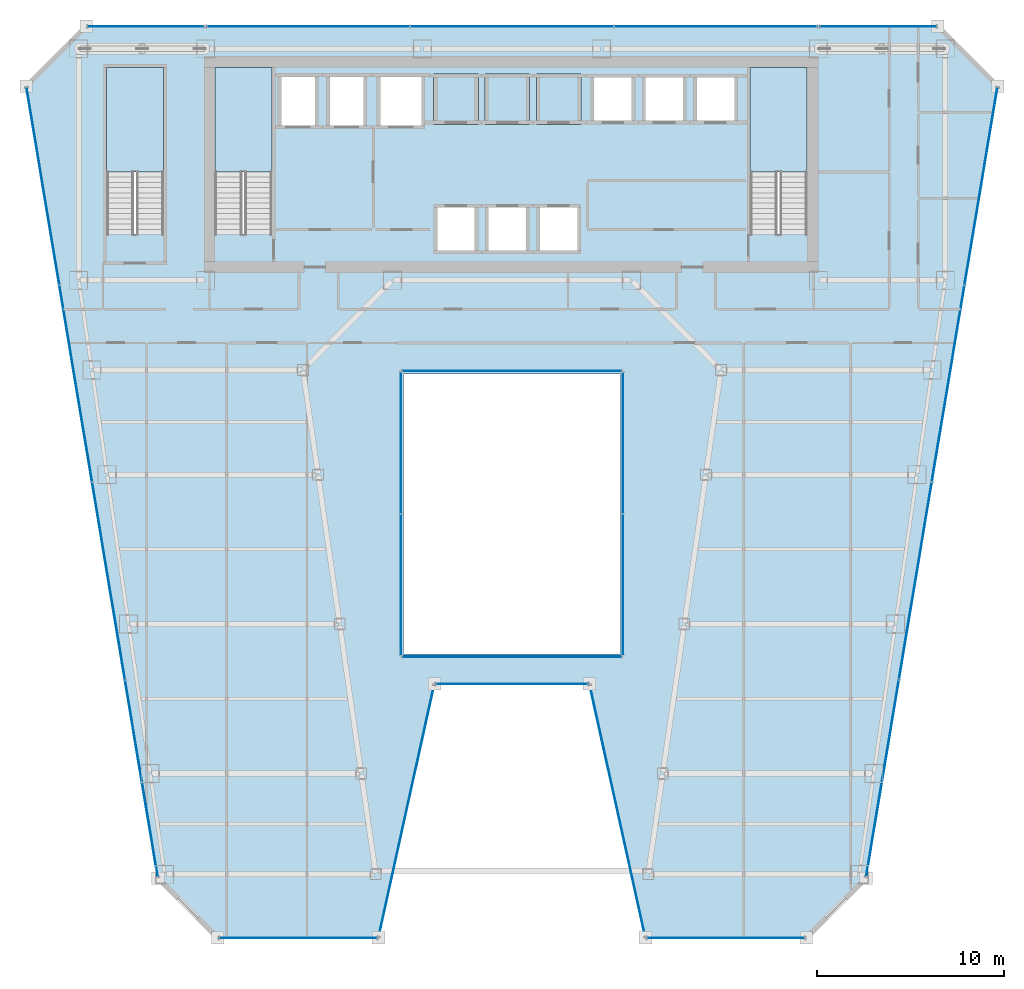
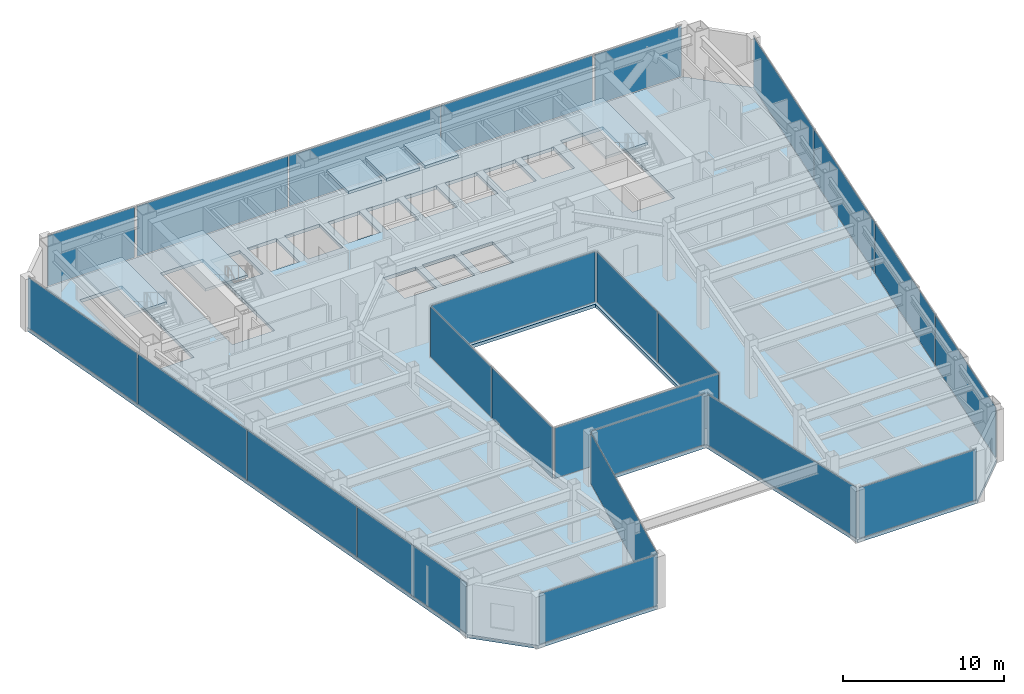
# One storey, part 28 of 36: 24 plates, 7 slabs, 17 elements without a shape of their own.
"""IFC4 building model written with IfcOpenShell, lengths in metres."""

from ifc_helpers import new_model, si_unit, direction, frame, origin, origin_2d, place, context, subcontext, project, spatial, polyline, rectangle, outline, extrude, material, layer, layer_set, type_object, element, aggregate, save


model = new_model("IFC4")

# Units and contexts
model_context = context("Model", 3, precision=1e-05, world=origin(), true_north=direction((0.0, 1.0)))
body_context = subcontext(model_context, "Body", "Model", "MODEL_VIEW")
ifc_project = project(units=[si_unit("LENGTHUNIT", "METRE"), si_unit("AREAUNIT", "SQUARE_METRE"), si_unit("VOLUMEUNIT", "CUBIC_METRE"), si_unit("PLANEANGLEUNIT", "RADIAN"), si_unit("MASSUNIT", "GRAM", prefix="KILO")], contexts=[model_context])

# Site, building, storey
site_placement = place(None, origin())
site = spatial("IfcSite", under=ifc_project, at=site_placement, CompositionType="ELEMENT")
building_placement = place(site_placement, origin())
building = spatial("IfcBuilding", under=site, at=building_placement, Name="Saevonmaru Cultural Tower", CompositionType="ELEMENT")
storey_placement = place(building_placement, frame((0.0, 0.0, 119.199951171875)))
storey = spatial("IfcBuildingStorey", under=building, at=storey_placement, Name="L25", CompositionType="ELEMENT", Elevation=119.199951171875)

# Curtain wall, plate
ifc_material_1 = material(Name="Satin Bronze Anodised Aluminium", Category="aluminium")
curtain_wall_type_1 = type_object("IfcCurtainWallType", Name="CW-ATR-GLZ", PredefinedType="NOTDEFINED", material=ifc_material_1)
curtain_wall_1_placement = place(storey_placement, origin())
curtain_wall_1 = element("IfcCurtainWall", 1, at=curtain_wall_1_placement, inside=storey, type_object=curtain_wall_type_1, Name="L25 Vertical Atrium Glazed Smoke Screen 1", PredefinedType="NOTDEFINED")
ifc_material_2 = material(Name="Fire-Rated Laminated Atrium Glass", Category="glass")
ifc_layer_1 = layer(ifc_material_2, 0.031982421875, Name="Fire-Rated Laminated Atrium Glass")
ifc_layer_set_1 = layer_set([ifc_layer_1], Name="Fire-Rated Laminated Atrium Glass")
plate_type_1 = type_object("IfcPlateType", Name="PN-GLZ-ATR-INT", PredefinedType="CURTAIN_PANEL", material=ifc_layer_set_1)
plate_1_placement = place(storey_placement, frame((30.0, 22.25, 0.067138671875), z_axis=(0.0, 0.0, 1.0), x_axis=(1.0, 0.0, 0.0)))
plate_1 = element("IfcPlate", 2, at=plate_1_placement, type_object=plate_type_1, Name="CW-ATR-L25-1 panel 1.1", PredefinedType="CURTAIN_PANEL", context=body_context, shape_type="SweptSolid", body=[
    extrude(rectangle(XDim=11.7109375, YDim=0.031982421875, at=origin_2d()), origin(), (0.0, 0.0, 1.0), 3.81591796875),
])
aggregate(curtain_wall_1, [plate_1])

# Curtain wall, plates
curtain_wall_2_placement = place(storey_placement, origin())
curtain_wall_2 = element("IfcCurtainWall", 3, at=curtain_wall_2_placement, inside=storey, type_object=curtain_wall_type_1, Name="L25 Vertical Atrium Glazed Smoke Screen 2", PredefinedType="NOTDEFINED")
plate_2_placement = place(storey_placement, frame((35.949951171875, 26.10498046875, 0.067138671875), z_axis=(0.0, 0.0, 1.0), x_axis=(0.0, 1.0, 0.0)))
plate_2 = element("IfcPlate", 4, at=plate_2_placement, type_object=plate_type_1, Name="CW-ATR-L25-2 panel 1.1", PredefinedType="CURTAIN_PANEL", context=body_context, shape_type="SweptSolid", body=[
    extrude(rectangle(XDim=7.52099609375, YDim=0.031982421875, at=origin_2d()), origin(), (0.0, 0.0, 1.0), 3.81591796875),
])
plate_3_placement = place(storey_placement, frame((35.949951171875, 33.695068359375, 0.067138671875), z_axis=(0.0, 0.0, 1.0), x_axis=(0.0, 1.0, 0.0)))
plate_3 = element("IfcPlate", 5, at=plate_3_placement, type_object=plate_type_1, Name="CW-ATR-L25-2 panel 2.1", PredefinedType="CURTAIN_PANEL", context=body_context, shape_type="SweptSolid", body=[
    extrude(rectangle(XDim=7.52099609375, YDim=0.031982421875, at=origin_2d()), origin(), (0.0, 0.0, 1.0), 3.81591796875),
])
aggregate(curtain_wall_2, [plate_2, plate_3])

# Curtain wall, plate
curtain_wall_3_placement = place(storey_placement, origin())
curtain_wall_3 = element("IfcCurtainWall", 6, at=curtain_wall_3_placement, inside=storey, type_object=curtain_wall_type_1, Name="L25 Vertical Atrium Glazed Smoke Screen 3", PredefinedType="NOTDEFINED")
plate_4_placement = place(storey_placement, frame((30.0, 37.550048828125, 0.067138671875), z_axis=(0.0, 0.0, 1.0), x_axis=(-1.0, 0.0, 0.0)))
plate_4 = element("IfcPlate", 7, at=plate_4_placement, type_object=plate_type_1, Name="CW-ATR-L25-3 panel 1.1", PredefinedType="CURTAIN_PANEL", context=body_context, shape_type="SweptSolid", body=[
    extrude(rectangle(XDim=11.7109375, YDim=0.031982421875, at=origin_2d()), origin(), (0.0, 0.0, 1.0), 3.81591796875),
])
aggregate(curtain_wall_3, [plate_4])

# Curtain wall, plates
curtain_wall_4_placement = place(storey_placement, origin())
curtain_wall_4 = element("IfcCurtainWall", 8, at=curtain_wall_4_placement, inside=storey, type_object=curtain_wall_type_1, Name="L25 Vertical Atrium Glazed Smoke Screen 4", PredefinedType="NOTDEFINED")
plate_5_placement = place(storey_placement, frame((24.050048828125, 33.695068359375, 0.067138671875), z_axis=(0.0, 0.0, 1.0), x_axis=(0.0, -1.0, 0.0)))
plate_5 = element("IfcPlate", 9, at=plate_5_placement, type_object=plate_type_1, Name="CW-ATR-L25-4 panel 1.1", PredefinedType="CURTAIN_PANEL", context=body_context, shape_type="SweptSolid", body=[
    extrude(rectangle(XDim=7.52099609375, YDim=0.031982421875, at=origin_2d()), origin(), (0.0, 0.0, 1.0), 3.81591796875),
])
plate_6_placement = place(storey_placement, frame((24.050048828125, 26.10498046875, 0.067138671875), z_axis=(0.0, 0.0, 1.0), x_axis=(0.0, -1.0, 0.0)))
plate_6 = element("IfcPlate", 10, at=plate_6_placement, type_object=plate_type_1, Name="CW-ATR-L25-4 panel 2.1", PredefinedType="CURTAIN_PANEL", context=body_context, shape_type="SweptSolid", body=[
    extrude(rectangle(XDim=7.52099609375, YDim=0.031982421875, at=origin_2d()), origin(), (0.0, 0.0, 1.0), 3.81591796875),
])
aggregate(curtain_wall_4, [plate_5, plate_6])

# Curtain wall, plate
curtain_wall_type_2 = type_object("IfcCurtainWallType", Name="CW-TYP-A", PredefinedType="NOTDEFINED", material=ifc_material_1)
curtain_wall_5_placement = place(storey_placement, origin())
curtain_wall_5 = element("IfcCurtainWall", 11, at=curtain_wall_5_placement, inside=storey, type_object=curtain_wall_type_2, Name="L25 Unitised Curtain Wall E2", PredefinedType="NOTDEFINED")
ifc_material_3 = material(Name="Triple Silver Low-E Insulating Glass", Category="glass")
ifc_layer_2 = layer(ifc_material_3, 0.035888671875, Name="Triple Silver Low-E Insulating Glass")
ifc_layer_set_2 = layer_set([ifc_layer_2], Name="Triple Silver Low-E Insulating Glass")
plate_type_2 = type_object("IfcPlateType", Name="PN-GLZ-IGU", PredefinedType="CURTAIN_PANEL", material=ifc_layer_set_2)
plate_7_placement = place(storey_placement, frame((18.548828125, 7.199951171875, 0.067138671875), z_axis=(0.0, 0.0, 1.0), x_axis=(1.0, 0.0, 0.0)))
plate_7 = element("IfcPlate", 12, at=plate_7_placement, type_object=plate_type_2, Name="CW-TW-L25-E2 panel 1.1", PredefinedType="CURTAIN_PANEL", context=body_context, shape_type="SweptSolid", body=[
    extrude(rectangle(XDim=8.410888671875, YDim=0.035888671875, at=origin_2d()), origin(), (0.0, 0.0, 1.0), 3.81591796875),
])
aggregate(curtain_wall_5, [plate_7])

curtain_wall_6_placement = place(storey_placement, origin())
curtain_wall_6 = element("IfcCurtainWall", 13, at=curtain_wall_6_placement, inside=storey, type_object=curtain_wall_type_2, Name="L25 Unitised Curtain Wall E3", PredefinedType="NOTDEFINED")
plate_8_placement = place(storey_placement, frame((24.348876953125, 14.0, 0.067138671875), z_axis=(0.0, 0.0, 1.0), x_axis=(0.215413319953, 0.976522965212, 0.0)))
plate_8 = element("IfcPlate", 14, at=plate_8_placement, type_object=plate_type_2, Name="CW-TW-L25-E3 panel 1.1", PredefinedType="CURTAIN_PANEL", context=body_context, shape_type="SweptSolid", body=[
    extrude(rectangle(XDim=13.738037109375, YDim=0.035888671875, at=origin_2d()), origin(), (0.0, 0.0, 1.0), 3.81591796875),
])
aggregate(curtain_wall_6, [plate_8])

curtain_wall_7_placement = place(storey_placement, origin())
curtain_wall_7 = element("IfcCurtainWall", 15, at=curtain_wall_7_placement, inside=storey, type_object=curtain_wall_type_2, Name="L25 Unitised Curtain Wall E4", PredefinedType="NOTDEFINED")
plate_9_placement = place(storey_placement, frame((30.0, 20.800048828125, 0.067138671875), z_axis=(0.0, 0.0, 1.0), x_axis=(1.0, 0.0, 0.0)))
plate_9 = element("IfcPlate", 16, at=plate_9_placement, type_object=plate_type_2, Name="CW-TW-L25-E4 panel 1.1", PredefinedType="CURTAIN_PANEL", context=body_context, shape_type="SweptSolid", body=[
    extrude(rectangle(XDim=8.11328125, YDim=0.035888671875, at=origin_2d()), origin(), (0.0, 0.0, 1.0), 3.81591796875),
])
aggregate(curtain_wall_7, [plate_9])

curtain_wall_8_placement = place(storey_placement, origin())
curtain_wall_8 = element("IfcCurtainWall", 17, at=curtain_wall_8_placement, inside=storey, type_object=curtain_wall_type_2, Name="L25 Unitised Curtain Wall E5", PredefinedType="NOTDEFINED")
plate_10_placement = place(storey_placement, frame((35.651123046875, 14.0, 0.067138671875), z_axis=(0.0, 0.0, 1.0), x_axis=(0.215413319953, -0.976522965212, 0.0)))
plate_10 = element("IfcPlate", 18, at=plate_10_placement, type_object=plate_type_2, Name="CW-TW-L25-E5 panel 1.1", PredefinedType="CURTAIN_PANEL", context=body_context, shape_type="SweptSolid", body=[
    extrude(rectangle(XDim=13.738037109375, YDim=0.035888671875, at=origin_2d()), origin(), (0.0, 0.0, 1.0), 3.81591796875),
])
aggregate(curtain_wall_8, [plate_10])

curtain_wall_9_placement = place(storey_placement, origin())
curtain_wall_9 = element("IfcCurtainWall", 19, at=curtain_wall_9_placement, inside=storey, type_object=curtain_wall_type_2, Name="L25 Unitised Curtain Wall E6", PredefinedType="NOTDEFINED")
plate_11_placement = place(storey_placement, frame((41.451171875, 7.199951171875, 0.067138671875), z_axis=(0.0, 0.0, 1.0), x_axis=(1.0, 0.0, 0.0)))
plate_11 = element("IfcPlate", 20, at=plate_11_placement, type_object=plate_type_2, Name="CW-TW-L25-E6 panel 1.1", PredefinedType="CURTAIN_PANEL", context=body_context, shape_type="SweptSolid", body=[
    extrude(rectangle(XDim=8.410888671875, YDim=0.035888671875, at=origin_2d()), origin(), (0.0, 0.0, 1.0), 3.81591796875),
])
aggregate(curtain_wall_9, [plate_11])

# Curtain wall, plates
curtain_wall_10_placement = place(storey_placement, origin())
curtain_wall_10 = element("IfcCurtainWall", 21, at=curtain_wall_10_placement, inside=storey, type_object=curtain_wall_type_2, Name="L25 Unitised Curtain Wall E8", PredefinedType="NOTDEFINED")
plate_12_placement = place(storey_placement, frame((49.839599609375, 15.744384765625, 0.067138671875), z_axis=(0.0, 0.0, 1.0), x_axis=(0.163998702345, 0.986460554523, 0.0)))
plate_12 = element("IfcPlate", 22, at=plate_12_placement, type_object=plate_type_2, Name="CW-TW-L25-E8 panel 1.1", PredefinedType="CURTAIN_PANEL", context=body_context, shape_type="SweptSolid", body=[
    extrude(rectangle(XDim=10.646484375, YDim=0.035888671875, at=origin_2d()), origin(), (0.0, 0.0, 1.0), 3.81591796875),
])
plate_13_placement = place(storey_placement, frame((51.596923828125, 26.314697265625, 0.067138671875), z_axis=(0.0, 0.0, 1.0), x_axis=(0.163998702345, 0.986460554523, 0.0)))
plate_13 = element("IfcPlate", 23, at=plate_13_placement, type_object=plate_type_2, Name="CW-TW-L25-E8 panel 2.1", PredefinedType="CURTAIN_PANEL", context=body_context, shape_type="SweptSolid", body=[
    extrude(rectangle(XDim=10.646484375, YDim=0.035888671875, at=origin_2d()), origin(), (0.0, 0.0, 1.0), 3.81591796875),
])
plate_14_placement = place(storey_placement, frame((53.354248046875, 36.88525390625, 0.067138671875), z_axis=(0.0, 0.0, 1.0), x_axis=(0.163998702345, 0.986460554523, 0.0)))
plate_14 = element("IfcPlate", 24, at=plate_14_placement, type_object=plate_type_2, Name="CW-TW-L25-E8 panel 3.1", PredefinedType="CURTAIN_PANEL", context=body_context, shape_type="SweptSolid", body=[
    extrude(rectangle(XDim=10.646484375, YDim=0.035888671875, at=origin_2d()), origin(), (0.0, 0.0, 1.0), 3.81591796875),
])
plate_15_placement = place(storey_placement, frame((55.111572265625, 47.45556640625, 0.067138671875), z_axis=(0.0, 0.0, 1.0), x_axis=(0.163998702345, 0.986460554523, 0.0)))
plate_15 = element("IfcPlate", 25, at=plate_15_placement, type_object=plate_type_2, Name="CW-TW-L25-E8 panel 4.1", PredefinedType="CURTAIN_PANEL", context=body_context, shape_type="SweptSolid", body=[
    extrude(rectangle(XDim=10.646484375, YDim=0.035888671875, at=origin_2d()), origin(), (0.0, 0.0, 1.0), 3.81591796875),
])
aggregate(curtain_wall_10, [plate_12, plate_13, plate_14, plate_15])

curtain_wall_11_placement = place(storey_placement, origin())
curtain_wall_11 = element("IfcCurtainWall", 26, at=curtain_wall_11_placement, inside=storey, type_object=curtain_wall_type_2, Name="L25 North Spine Unitised Curtain Wall E10B", PredefinedType="NOTDEFINED")
plate_16_placement = place(storey_placement, frame((40.893310546875, 56.0, 0.067138671875), z_axis=(0.0, 0.0, 1.0), x_axis=(-1.0, 0.0, 0.0)))
plate_16 = element("IfcPlate", 27, at=plate_16_placement, type_object=plate_type_2, Name="CW-TW-L25-E10B panel 1.1", PredefinedType="CURTAIN_PANEL", context=body_context, shape_type="SweptSolid", body=[
    extrude(rectangle(XDim=10.82421875, YDim=0.035888671875, at=origin_2d()), origin(), (0.0, 0.0, 1.0), 3.81591796875),
])
plate_17_placement = place(storey_placement, frame((30.0, 56.0, 0.067138671875), z_axis=(0.0, 0.0, 1.0), x_axis=(-1.0, 0.0, 0.0)))
plate_17 = element("IfcPlate", 28, at=plate_17_placement, type_object=plate_type_2, Name="CW-TW-L25-E10B panel 2.1", PredefinedType="CURTAIN_PANEL", context=body_context, shape_type="SweptSolid", body=[
    extrude(rectangle(XDim=10.82421875, YDim=0.035888671875, at=origin_2d()), origin(), (0.0, 0.0, 1.0), 3.81591796875),
])
plate_18_placement = place(storey_placement, frame((19.106689453125, 56.0, 0.067138671875), z_axis=(0.0, 0.0, 1.0), x_axis=(-1.0, 0.0, 0.0)))
plate_18 = element("IfcPlate", 29, at=plate_18_placement, type_object=plate_type_2, Name="CW-TW-L25-E10B panel 3.1", PredefinedType="CURTAIN_PANEL", context=body_context, shape_type="SweptSolid", body=[
    extrude(rectangle(XDim=10.82421875, YDim=0.035888671875, at=origin_2d()), origin(), (0.0, 0.0, 1.0), 3.81591796875),
])
aggregate(curtain_wall_11, [plate_16, plate_17, plate_18])

curtain_wall_12_placement = place(storey_placement, origin())
curtain_wall_12 = element("IfcCurtainWall", 30, at=curtain_wall_12_placement, inside=storey, type_object=curtain_wall_type_2, Name="L25 Unitised Curtain Wall E12", PredefinedType="NOTDEFINED")
plate_19_placement = place(storey_placement, frame((4.888427734375, 47.45556640625, 0.067138671875), z_axis=(0.0, 0.0, 1.0), x_axis=(0.163998702345, -0.986460554523, 0.0)))
plate_19 = element("IfcPlate", 31, at=plate_19_placement, type_object=plate_type_2, Name="CW-TW-L25-E12 panel 1.1", PredefinedType="CURTAIN_PANEL", context=body_context, shape_type="SweptSolid", body=[
    extrude(rectangle(XDim=10.646484375, YDim=0.035888671875, at=origin_2d()), origin(), (0.0, 0.0, 1.0), 3.81591796875),
])
plate_20_placement = place(storey_placement, frame((6.645751953125, 36.88525390625, 0.067138671875), z_axis=(0.0, 0.0, 1.0), x_axis=(0.163998702345, -0.986460554523, 0.0)))
plate_20 = element("IfcPlate", 32, at=plate_20_placement, type_object=plate_type_2, Name="CW-TW-L25-E12 panel 2.1", PredefinedType="CURTAIN_PANEL", context=body_context, shape_type="SweptSolid", body=[
    extrude(rectangle(XDim=10.646484375, YDim=0.035888671875, at=origin_2d()), origin(), (0.0, 0.0, 1.0), 3.81591796875),
])
plate_21_placement = place(storey_placement, frame((8.403076171875, 26.314697265625, 0.067138671875), z_axis=(0.0, 0.0, 1.0), x_axis=(0.163998702345, -0.986460554523, 0.0)))
plate_21 = element("IfcPlate", 33, at=plate_21_placement, type_object=plate_type_2, Name="CW-TW-L25-E12 panel 3.1", PredefinedType="CURTAIN_PANEL", context=body_context, shape_type="SweptSolid", body=[
    extrude(rectangle(XDim=10.646484375, YDim=0.035888671875, at=origin_2d()), origin(), (0.0, 0.0, 1.0), 3.81591796875),
])
plate_22_placement = place(storey_placement, frame((10.160400390625, 15.744384765625, 0.067138671875), z_axis=(0.0, 0.0, 1.0), x_axis=(0.163998702345, -0.986460554523, 0.0)))
plate_22 = element("IfcPlate", 34, at=plate_22_placement, type_object=plate_type_2, Name="CW-TW-L25-E12 panel 4.1", PredefinedType="CURTAIN_PANEL", context=body_context, shape_type="SweptSolid", body=[
    extrude(rectangle(XDim=10.646484375, YDim=0.035888671875, at=origin_2d()), origin(), (0.0, 0.0, 1.0), 3.81591796875),
])
aggregate(curtain_wall_12, [plate_19, plate_20, plate_21, plate_22])

# Curtain wall, plate
curtain_wall_13_placement = place(storey_placement, origin())
curtain_wall_13 = element("IfcCurtainWall", 35, at=curtain_wall_13_placement, inside=storey, type_object=curtain_wall_type_2, Name="L25 East Braced Bay Spandrel Curtain Wall E10A", PredefinedType="NOTDEFINED")
ifc_material_4 = material(Name="Insulated Satin Bronze Aluminium Spandrel Panel", Category="aluminium")
ifc_layer_3 = layer(ifc_material_4, 0.0400390625, Name="Insulated Satin Bronze Aluminium Spandrel Panel")
ifc_layer_set_3 = layer_set([ifc_layer_3], Name="Insulated Satin Bronze Aluminium Spandrel Panel")
plate_type_3 = type_object("IfcPlateType", Name="PN-SPANDREL-BRONZE", PredefinedType="CURTAIN_PANEL", material=ifc_layer_set_3)
plate_23_placement = place(storey_placement, frame((49.60009765625, 56.0, 0.067138671875), z_axis=(0.0, 0.0, 1.0), x_axis=(-1.0, 0.0, 0.0)))
plate_23 = element("IfcPlate", 36, at=plate_23_placement, type_object=plate_type_3, Name="CW-TW-L25-E10A panel 1.1", PredefinedType="CURTAIN_PANEL", context=body_context, shape_type="SweptSolid", body=[
    extrude(rectangle(XDim=6.2109375, YDim=0.035888671875, at=origin_2d()), origin(), (0.0, 0.0, 1.0), 3.81591796875),
])
aggregate(curtain_wall_13, [plate_23])

curtain_wall_14_placement = place(storey_placement, origin())
curtain_wall_14 = element("IfcCurtainWall", 37, at=curtain_wall_14_placement, inside=storey, type_object=curtain_wall_type_2, Name="L25 West Braced Bay Spandrel Curtain Wall E10C", PredefinedType="NOTDEFINED")
plate_24_placement = place(storey_placement, frame((10.39990234375, 56.0, 0.067138671875), z_axis=(0.0, 0.0, 1.0), x_axis=(-1.0, 0.0, 0.0)))
plate_24 = element("IfcPlate", 38, at=plate_24_placement, type_object=plate_type_3, Name="CW-TW-L25-E10C panel 1.1", PredefinedType="CURTAIN_PANEL", context=body_context, shape_type="SweptSolid", body=[
    extrude(rectangle(XDim=6.2109375, YDim=0.035888671875, at=origin_2d()), origin(), (0.0, 0.0, 1.0), 3.81591796875),
])
aggregate(curtain_wall_14, [plate_24])

# Slabs
ifc_material_5 = material(Name="Concrete C40/50", Category="concrete")
ifc_layer_4 = layer(ifc_material_5, 0.25, Name="Concrete C40/50")
ifc_layer_set_4 = layer_set([ifc_layer_4], Name="Concrete C40/50")
slab_type_1 = type_object("IfcSlabType", Name="SL-FLR-250", PredefinedType="FLOOR", material=ifc_layer_set_4)
slab_1_placement = place(storey_placement, frame((0.0, 0.0, -0.25)))
element("IfcSlab", 39, at=slab_1_placement, inside=storey, type_object=slab_type_1, Name="L25 Tower Structural Floor Slab", PredefinedType="FLOOR", context=body_context, shape_type="SweptSolid", body=[
    extrude(outline(polyline([(11.048828125, 10.39990234375), (14.248779296875, 7.199951171875), (22.848876953125, 7.199951171875), (25.848876953125, 20.800048828125), (34.151123046875, 20.800048828125), (37.151123046875, 7.199951171875), (45.751220703125, 7.199951171875), (48.951171875, 10.39990234375), (56.0, 52.800048828125), (52.800048828125, 56.0), (7.199951171875, 56.0), (4.0, 52.800048828125), (11.048828125, 10.39990234375)]), holes=[polyline([(45.800048828125, 44.875), (42.75, 44.875), (42.75, 53.800048828125), (45.800048828125, 53.800048828125), (45.800048828125, 44.875)]), polyline([(39.75, 50.800048828125), (39.75, 53.39990234375), (42.050048828125, 53.39990234375), (42.050048828125, 50.800048828125), (39.75, 50.800048828125)]), polyline([(37.0, 50.800048828125), (37.0, 53.39990234375), (39.300048828125, 53.39990234375), (39.300048828125, 50.800048828125), (37.0, 50.800048828125)]), polyline([(34.25, 50.800048828125), (34.25, 53.39990234375), (36.550048828125, 53.39990234375), (36.550048828125, 50.800048828125), (34.25, 50.800048828125)]), polyline([(24.199951171875, 22.39990234375), (24.199951171875, 37.39990234375), (35.800048828125, 37.39990234375), (35.800048828125, 22.39990234375), (24.199951171875, 22.39990234375)]), polyline([(31.35009765625, 50.800048828125), (31.35009765625, 53.39990234375), (33.64990234375, 53.39990234375), (33.64990234375, 50.800048828125), (31.35009765625, 50.800048828125)]), polyline([(31.35009765625, 43.85009765625), (31.35009765625, 46.449951171875), (33.64990234375, 46.449951171875), (33.64990234375, 43.85009765625), (31.35009765625, 43.85009765625)]), polyline([(28.60009765625, 43.85009765625), (28.60009765625, 46.449951171875), (30.89990234375, 46.449951171875), (30.89990234375, 43.85009765625), (28.60009765625, 43.85009765625)]), polyline([(28.60009765625, 50.800048828125), (28.60009765625, 53.39990234375), (30.89990234375, 53.39990234375), (30.89990234375, 50.800048828125), (28.60009765625, 50.800048828125)]), polyline([(25.85009765625, 50.800048828125), (25.85009765625, 53.39990234375), (28.14990234375, 53.39990234375), (28.14990234375, 50.800048828125), (25.85009765625, 50.800048828125)]), polyline([(25.85009765625, 43.85009765625), (25.85009765625, 46.449951171875), (28.14990234375, 46.449951171875), (28.14990234375, 43.85009765625), (25.85009765625, 43.85009765625)]), polyline([(22.800048828125, 50.550048828125), (22.800048828125, 53.449951171875), (25.300048828125, 53.449951171875), (25.300048828125, 50.550048828125), (22.800048828125, 50.550048828125)]), polyline([(20.10009765625, 50.550048828125), (20.10009765625, 53.449951171875), (22.199951171875, 53.449951171875), (22.199951171875, 50.550048828125), (20.10009765625, 50.550048828125)]), polyline([(17.5, 50.550048828125), (17.5, 53.449951171875), (19.60009765625, 53.449951171875), (19.60009765625, 50.550048828125), (17.5, 50.550048828125)]), polyline([(17.14990234375, 44.875), (14.10009765625, 44.875), (14.10009765625, 53.800048828125), (17.14990234375, 53.800048828125), (17.14990234375, 44.875)]), polyline([(11.35009765625, 44.875), (8.300048828125, 44.875), (8.300048828125, 53.800048828125), (11.35009765625, 53.800048828125), (11.35009765625, 44.875)])]), origin(), (0.0, 0.0, 1.0), 0.25),
])
ifc_layer_5 = layer(ifc_material_5, 0.219970703125, Name="Concrete C40/50")
ifc_layer_set_5 = layer_set([ifc_layer_5], Name="Concrete C40/50")
slab_type_2 = type_object("IfcSlabType", Name="SL-SHAFT-CAP-220", PredefinedType="ROOF", material=ifc_layer_set_5)
slab_2_placement = place(storey_placement, frame((0.0, 0.0, 3.72998046875)))
element("IfcSlab", 40, at=slab_2_placement, inside=storey, type_object=slab_type_2, Name="Lift PL-L1 Overrun Cap Slab", PredefinedType="ROOF", context=body_context, shape_type="SweptSolid", body=[
    extrude(outline(polyline([(25.800048828125, 50.75), (28.199951171875, 50.75), (28.199951171875, 53.449951171875), (25.800048828125, 53.449951171875), (25.800048828125, 50.75)])), origin(), (0.0, 0.0, 1.0), 0.219970703125),
])
slab_3_placement = place(storey_placement, frame((0.0, 0.0, 3.72998046875)))
element("IfcSlab", 41, at=slab_3_placement, inside=storey, type_object=slab_type_2, Name="Lift PL-L2 Overrun Cap Slab", PredefinedType="ROOF", context=body_context, shape_type="SweptSolid", body=[
    extrude(outline(polyline([(28.550048828125, 50.75), (30.949951171875, 50.75), (30.949951171875, 53.449951171875), (28.550048828125, 53.449951171875), (28.550048828125, 50.75)])), origin(), (0.0, 0.0, 1.0), 0.219970703125),
])
slab_4_placement = place(storey_placement, frame((0.0, 0.0, 3.72998046875)))
element("IfcSlab", 42, at=slab_4_placement, inside=storey, type_object=slab_type_2, Name="Lift PL-L3 Overrun Cap Slab", PredefinedType="ROOF", context=body_context, shape_type="SweptSolid", body=[
    extrude(outline(polyline([(31.300048828125, 50.75), (33.699951171875, 50.75), (33.699951171875, 53.449951171875), (31.300048828125, 53.449951171875), (31.300048828125, 50.75)])), origin(), (0.0, 0.0, 1.0), 0.219970703125),
])

# Stair, slab
stair_type = type_object("IfcStairType", Name="STR-DOGLEG-RC", PredefinedType="HALF_TURN_STAIR", material=ifc_material_5)
stair_1_placement = place(storey_placement, origin())
stair_1 = element("IfcStair", 43, at=stair_1_placement, inside=storey, type_object=stair_type, Name="L25 Protected exit stair ST-1", PredefinedType="HALF_TURN_STAIR")
ifc_layer_6 = layer(ifc_material_5, 0.199951171875, Name="Concrete C40/50")
ifc_layer_set_6 = layer_set([ifc_layer_6], Name="Concrete C40/50")
slab_type_3 = type_object("IfcSlabType", Name="SL-STAIR-LANDING", PredefinedType="LANDING", material=ifc_layer_set_6)
slab_5_placement = place(storey_placement, frame((0.0, 0.0, 2.0)))
slab_5 = element("IfcSlab", 44, at=slab_5_placement, type_object=slab_type_3, Name="ST-1-L25 landing 1", PredefinedType="LANDING", context=body_context, shape_type="SweptSolid", body=[
    extrude(outline(polyline([(17.14990234375, 48.2099609375), (17.14990234375, 53.800048828125), (14.10009765625, 53.800048828125), (14.10009765625, 48.2099609375), (17.14990234375, 48.2099609375)])), origin(), (0.0, 0.0, 1.0), 0.199951171875),
])
aggregate(stair_1, [slab_5])

stair_2_placement = place(storey_placement, origin())
stair_2 = element("IfcStair", 45, at=stair_2_placement, inside=storey, type_object=stair_type, Name="L25 Protected exit stair ST-2", PredefinedType="HALF_TURN_STAIR")
slab_6_placement = place(storey_placement, frame((0.0, 0.0, 2.0)))
slab_6 = element("IfcSlab", 46, at=slab_6_placement, type_object=slab_type_3, Name="ST-2-L25 landing 1", PredefinedType="LANDING", context=body_context, shape_type="SweptSolid", body=[
    extrude(outline(polyline([(45.800048828125, 48.2099609375), (45.800048828125, 53.800048828125), (42.75, 53.800048828125), (42.75, 48.2099609375), (45.800048828125, 48.2099609375)])), origin(), (0.0, 0.0, 1.0), 0.199951171875),
])
aggregate(stair_2, [slab_6])

stair_3_placement = place(storey_placement, origin())
stair_3 = element("IfcStair", 47, at=stair_3_placement, inside=storey, type_object=stair_type, Name="L25 Protected exit stair ST-3", PredefinedType="HALF_TURN_STAIR")
slab_7_placement = place(storey_placement, frame((0.0, 0.0, 2.0)))
slab_7 = element("IfcSlab", 48, at=slab_7_placement, type_object=slab_type_3, Name="ST-3-L25 landing 1", PredefinedType="LANDING", context=body_context, shape_type="SweptSolid", body=[
    extrude(outline(polyline([(11.35009765625, 48.2099609375), (11.35009765625, 53.800048828125), (8.300048828125, 53.800048828125), (8.300048828125, 48.2099609375), (11.35009765625, 48.2099609375)])), origin(), (0.0, 0.0, 1.0), 0.199951171875),
])
aggregate(stair_3, [slab_7])

save(model, "model.ifc")
